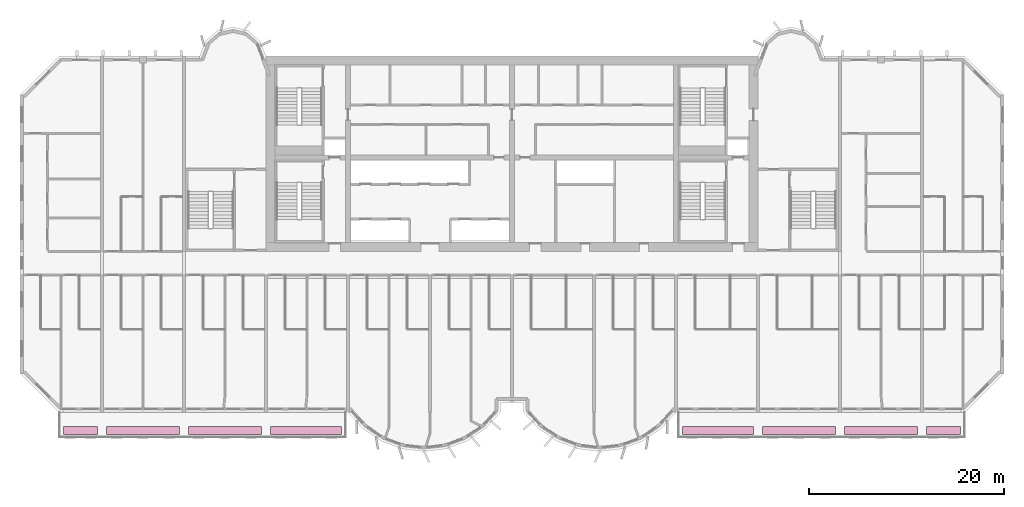
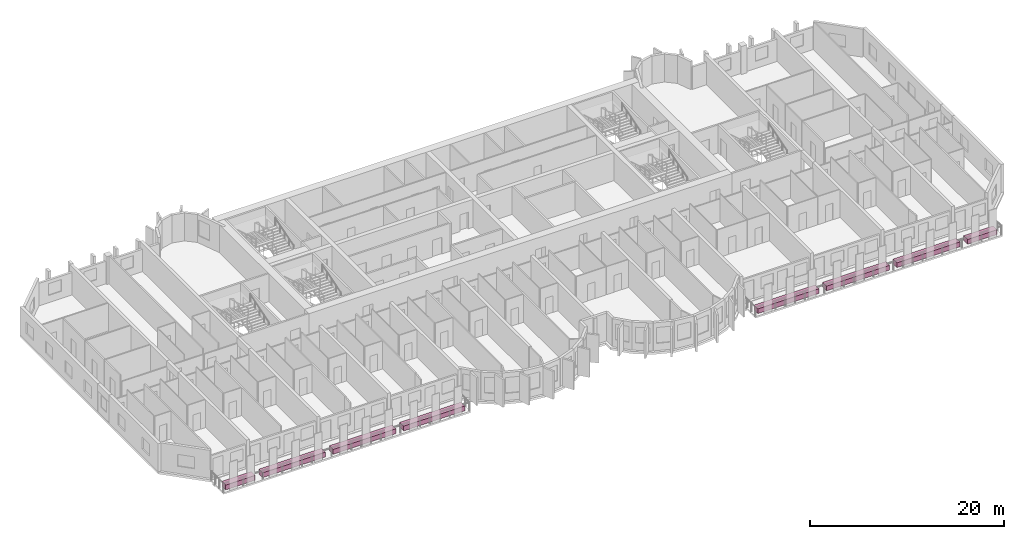
# One storey, part 14 of 14: 8 furniture elements.
"""IFC4 building model written with IfcOpenShell, lengths in metres."""

from ifc_helpers import new_model, si_unit, direction, frame, origin, origin_2d, place, context, subcontext, project, spatial, rectangle, extrude, source, transform, mapped, material, type_object, element, save


model = new_model("IFC4")

# Units and contexts
model_context = context("Model", 3, precision=1e-05, world=origin(), true_north=direction((0.0, 1.0)))
body_context = subcontext(model_context, "Body", "Model", "MODEL_VIEW")
ifc_project = project(units=[si_unit("LENGTHUNIT", "METRE"), si_unit("AREAUNIT", "SQUARE_METRE"), si_unit("VOLUMEUNIT", "CUBIC_METRE"), si_unit("PLANEANGLEUNIT", "RADIAN"), si_unit("MASSUNIT", "GRAM", prefix="KILO")], contexts=[model_context])

# Site, building, storey
site_placement = place(None, origin())
site = spatial("IfcSite", under=ifc_project, at=site_placement, CompositionType="ELEMENT")
building_placement = place(site_placement, origin())
building = spatial("IfcBuilding", under=site, at=building_placement, Name="Vanashikhar Sky Hotel", CompositionType="ELEMENT")
storey_placement = place(building_placement, frame((0.0, 0.0, 102.800048828125)))
storey = spatial("IfcBuildingStorey", under=building, at=storey_placement, Name="L24", CompositionType="ELEMENT", Elevation=102.800048828125)

# Furniture
ifc_material = material(Name="Planting soil and shrubs")
furniture_type = type_object("IfcFurnitureType", Name="Planter trough", AssemblyPlace="NOTDEFINED", PredefinedType="USERDEFINED", material=ifc_material)
shared_shape_1 = source(origin(), body_context, "Body", "SweptSolid", [
    extrude(rectangle(XDim=3.5, YDim=0.800048828125, at=origin_2d()), origin(), (0.0, 0.0, 1.0), 0.60009765625),
])
for number, where, z_axis, x_axis, name in (
    (1, (6.199951171875, 3.64990234375, -0.050048828125), (0.0, 0.0, 1.0), (1.0, 0.0, 0.0), "PLANTER with climbers"),
    (2, (94.60009765625, 3.64990234375, -0.050048828125), (0.0, 0.0, 1.0), (1.0, 0.0, 0.0), "PLANTER with climbers"),
):
    element("IfcFurniture", number, at=place(storey_placement, frame(where, z_axis=z_axis, x_axis=x_axis)), inside=storey, type_object=furniture_type, Name=name, ObjectType="PLANTER", PredefinedType="USERDEFINED", context=body_context, shape_type="MappedRepresentation", body=[
        mapped(shared_shape_1, transform((0.0, 0.0, 0.0), scale=1.0)),
    ])
shared_shape_2 = source(origin(), body_context, "Body", "SweptSolid", [
    extrude(rectangle(XDim=7.5, YDim=0.800048828125, at=origin_2d()), origin(), (0.0, 0.0, 1.0), 0.60009765625),
])
for number, where, z_axis, x_axis, name in (
    (3, (12.60009765625, 3.64990234375, -0.050048828125), (0.0, 0.0, 1.0), (1.0, 0.0, 0.0), "PLANTER with climbers"),
    (4, (21.0, 3.64990234375, -0.050048828125), (0.0, 0.0, 1.0), (1.0, 0.0, 0.0), "PLANTER with climbers"),
    (5, (79.800048828125, 3.64990234375, -0.050048828125), (0.0, 0.0, 1.0), (1.0, 0.0, 0.0), "PLANTER with climbers"),
    (6, (88.199951171875, 3.64990234375, -0.050048828125), (0.0, 0.0, 1.0), (1.0, 0.0, 0.0), "PLANTER with climbers"),
):
    element("IfcFurniture", number, at=place(storey_placement, frame(where, z_axis=z_axis, x_axis=x_axis)), inside=storey, type_object=furniture_type, Name=name, ObjectType="PLANTER", PredefinedType="USERDEFINED", context=body_context, shape_type="MappedRepresentation", body=[
        mapped(shared_shape_2, transform((0.0, 0.0, 0.0), scale=1.0)),
    ])
shared_shape_3 = source(origin(), body_context, "Body", "SweptSolid", [
    extrude(rectangle(XDim=7.300048828125, YDim=0.800048828125, at=origin_2d()), origin(), (0.0, 0.0, 1.0), 0.60009765625),
])
for number, where, z_axis, x_axis, name in (
    (7, (29.300048828125, 3.64990234375, -0.050048828125), (0.0, 0.0, 1.0), (1.0, 0.0, 0.0), "PLANTER with climbers"),
    (8, (71.5, 3.64990234375, -0.050048828125), (0.0, 0.0, 1.0), (1.0, 0.0, 0.0), "PLANTER with climbers"),
):
    element("IfcFurniture", number, at=place(storey_placement, frame(where, z_axis=z_axis, x_axis=x_axis)), inside=storey, type_object=furniture_type, Name=name, ObjectType="PLANTER", PredefinedType="USERDEFINED", context=body_context, shape_type="MappedRepresentation", body=[
        mapped(shared_shape_3, transform((0.0, 0.0, 0.0), scale=1.0)),
    ])

save(model, "model.ifc")
